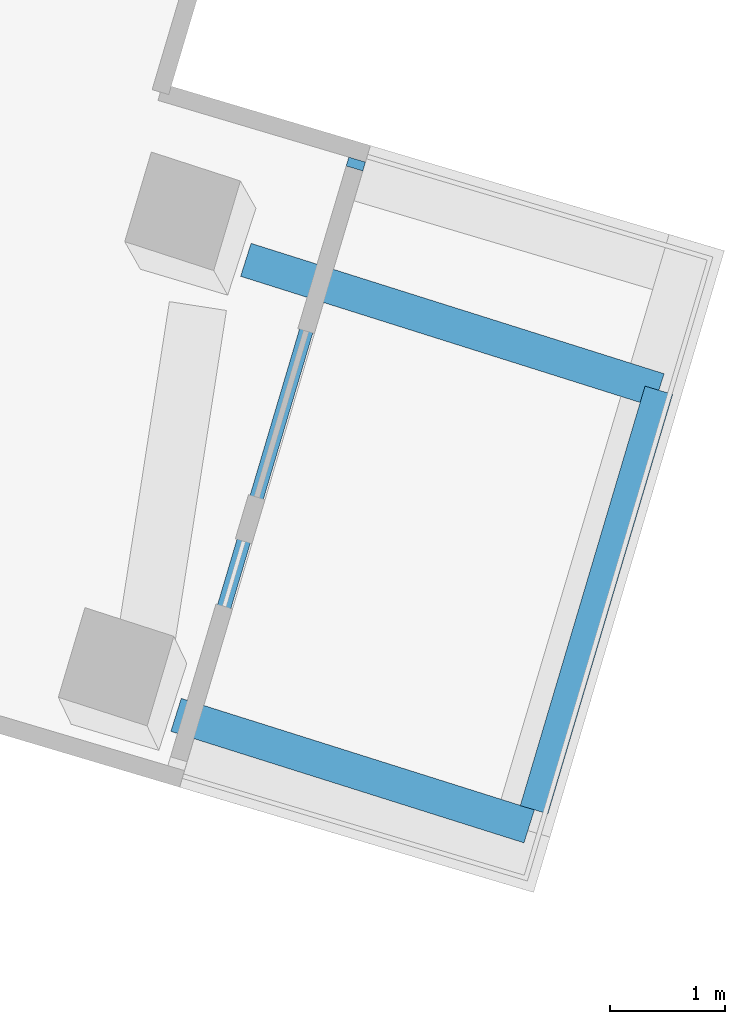
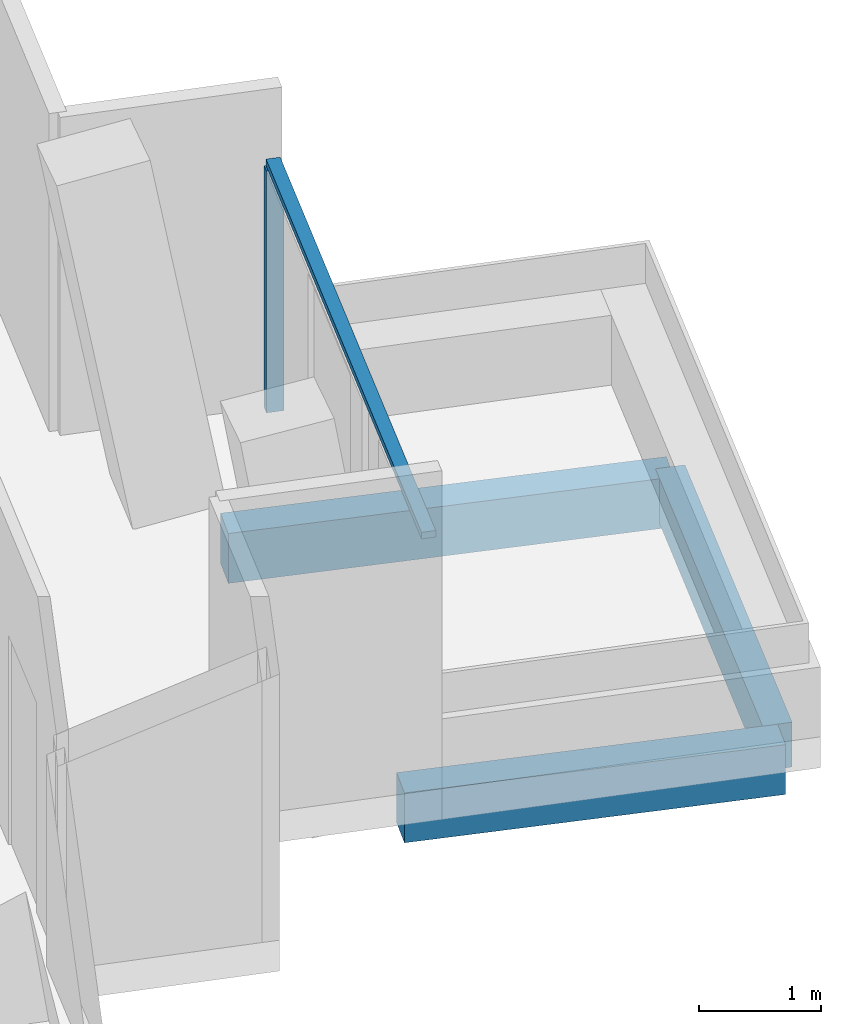
# One storey, part 11 of 27: 3 beams, 2 members, 1 element without a shape of its own.
"""IFC4 building model written with IfcOpenShell, lengths in metres."""

from ifc_helpers import new_model, si_unit, direction, frame, origin, origin_2d, place, context, subcontext, project, spatial, rectangle, extrude, material, layer, layer_set, material_profile, profile_set, type_object, element, aggregate, save


model = new_model("IFC4")

# Units and contexts
model_context = context("Model", 3, precision=1e-05, world=origin(), true_north=direction((0.0, 1.0)))
body_context = subcontext(model_context, "Body", "Model", "MODEL_VIEW")
ifc_project = project(units=[si_unit("LENGTHUNIT", "METRE"), si_unit("AREAUNIT", "SQUARE_METRE"), si_unit("VOLUMEUNIT", "CUBIC_METRE"), si_unit("PLANEANGLEUNIT", "RADIAN"), si_unit("MASSUNIT", "GRAM", prefix="KILO")], contexts=[model_context])

# Site, building, storey
site_placement = place(None, origin())
site = spatial("IfcSite", under=ifc_project, at=site_placement, CompositionType="ELEMENT")
building_placement = place(site_placement, origin())
building = spatial("IfcBuilding", under=site, at=building_placement, Name="Verdalira Terraces Hotel", CompositionType="ELEMENT")
storey_placement = place(building_placement, frame((0.0, 0.0, 89.5)))
storey = spatial("IfcBuildingStorey", under=building, at=storey_placement, Name="L20", CompositionType="ELEMENT", Elevation=89.5)

# Beams
ifc_material_1 = material(Name="Concrete C40", Category="concrete")
ifc_material_profile_1 = material_profile(ifc_material_1, rectangle(XDim=0.300049, YDim=0.5, at=origin_2d()), Name="RC 300X500")
ifc_profile_set_1 = profile_set([ifc_material_profile_1], Name="Concrete C40")
beam_type_1 = type_object("IfcBeamType", Name="Balcony cantilever beam RC 300X500 C40", PredefinedType="BEAM", material=ifc_profile_set_1)
beam_1_placement = place(storey_placement, frame((32.42627, -12.049805, -0.560059), z_axis=(0.953601067, -0.30107309, 0.0), x_axis=(0.30107309, 0.953601067, 0.0)))
element("IfcBeam", 1, at=beam_1_placement, inside=storey, type_object=beam_type_1, Name="Balcony cantilever beam R33-1", PredefinedType="BEAM", context=body_context, shape_type="SweptSolid", body=[
    extrude(rectangle(XDim=0.300049, YDim=0.5, at=origin_2d()), origin(), (0.0, 0.0, 1.0), 3.208008),
])
beam_2_placement = place(storey_placement, frame((33.030762, -8.10791, -0.560059), z_axis=(0.95360528, -0.301059745, 0.0), x_axis=(0.301059745, 0.95360528, 0.0)))
element("IfcBeam", 2, at=beam_2_placement, inside=storey, type_object=beam_type_1, Name="Balcony cantilever beam R33-2", PredefinedType="BEAM", context=body_context, shape_type="SweptSolid", body=[
    extrude(rectangle(XDim=0.300049, YDim=0.5, at=origin_2d()), origin(), (0.0, 0.0, 1.0), 3.752197),
])
ifc_material_2 = material(Name="Concrete C40", Category="concrete")
ifc_material_profile_2 = material_profile(ifc_material_2, rectangle(XDim=0.25, YDim=0.449951, at=origin_2d()), Name="RC 250X450")
ifc_profile_set_2 = profile_set([ifc_material_profile_2], Name="Concrete C40")
beam_type_2 = type_object("IfcBeamType", Name="Balcony edge beam RC 250X450 C40", PredefinedType="BEAM", material=ifc_profile_set_2)
beam_3_placement = place(storey_placement, frame((35.528076, -12.871826, -0.534912), z_axis=(0.285055011, 0.958511158, 0.0), x_axis=(-0.958511158, 0.285055011, 0.0)))
element("IfcBeam", 3, at=beam_3_placement, inside=storey, type_object=beam_type_2, Name="Balcony edge beam R33-1", PredefinedType="BEAM", context=body_context, shape_type="SweptSolid", body=[
    extrude(rectangle(XDim=0.25, YDim=0.449951, at=origin_2d()), origin(), (0.0, 0.0, 1.0), 3.791504),
])

# Curtain wall, members
ifc_material_3 = material(Name="Clear glass", Category="glass")
ifc_layer = layer(ifc_material_3, 0.14990234375)
ifc_layer_set = layer_set([ifc_layer], Name="CW3 curtain wall")
curtain_wall_type = type_object("IfcCurtainWallType", Name="CW3 curtain wall", PredefinedType="NOTDEFINED", material=ifc_layer_set)
curtain_wall_placement = place(storey_placement, origin())
curtain_wall = element("IfcCurtainWall", 4, at=curtain_wall_placement, inside=storey, type_object=curtain_wall_type, Name="CW3 curtain wall L20 edge 33", PredefinedType="NOTDEFINED")
ifc_material_4 = material(Name="Terracotta frame", Category="masonry")
ifc_material_profile_3 = material_profile(ifc_material_4, rectangle(XDim=0.080078, YDim=0.149902, at=origin_2d()), Name="MU 80x150")
ifc_profile_set_3 = profile_set([ifc_material_profile_3], Name="Terracotta frame")
member_type_1 = type_object("IfcMemberType", Name="CW3 mullion 80x150", PredefinedType="MULLION", material=ifc_profile_set_3)
member_1_placement = place(storey_placement, frame((33.983398, -7.277832, 0.0), z_axis=(0.0, 0.0, 1.0), x_axis=(0.285019262, 0.958521789, 0.0)))
member_1 = element("IfcMember", 5, at=member_1_placement, type_object=member_type_1, Name="CW3 mullion", PredefinedType="MULLION", context=body_context, shape_type="SweptSolid", body=[
    extrude(rectangle(XDim=0.080078, YDim=0.149902, at=origin_2d()), origin(), (0.0, 0.0, 1.0), 2.425049),
])
ifc_material_5 = material(Name="Terracotta frame", Category="masonry")
ifc_material_profile_4 = material_profile(ifc_material_5, rectangle(XDim=0.120117, YDim=0.064941, at=origin_2d()), Name="TR 65x120")
ifc_profile_set_4 = profile_set([ifc_material_profile_4], Name="Terracotta frame")
member_type_2 = type_object("IfcMemberType", Name="CW3 transom 65x120", PredefinedType="USERDEFINED", material=ifc_profile_set_4)
member_2_placement = place(storey_placement, frame((32.427246, -12.51123, 2.45752), z_axis=(0.285029792, 0.958518658, 0.0), x_axis=(-0.958518658, 0.285029792, 0.0)))
member_2 = element("IfcMember", 6, at=member_2_placement, type_object=member_type_2, Name="CW3 transom", ObjectType="TRANSOM", PredefinedType="USERDEFINED", context=body_context, shape_type="SweptSolid", body=[
    extrude(rectangle(XDim=0.120117, YDim=0.064941, at=origin_2d()), origin(), (0.0, 0.0, 1.0), 5.499756),
])
aggregate(curtain_wall, [member_1, member_2])

save(model, "model.ifc")
